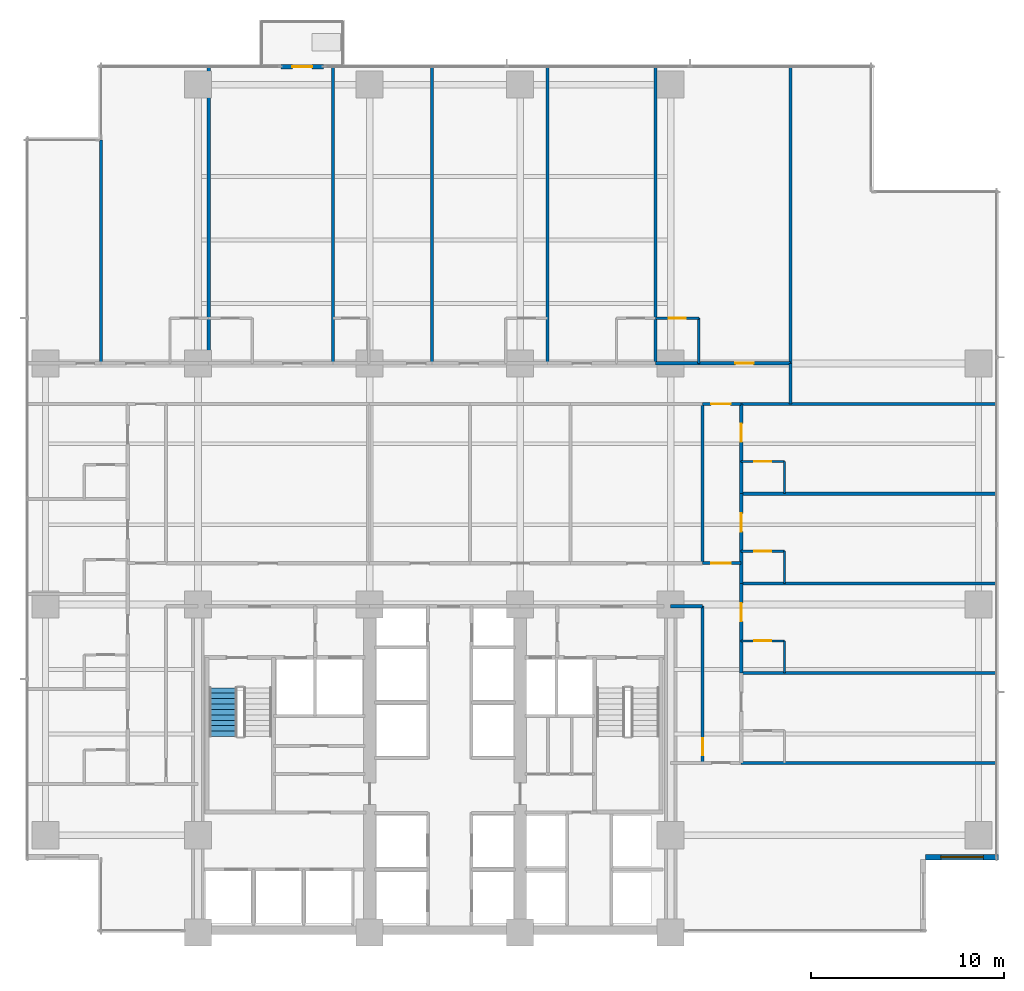
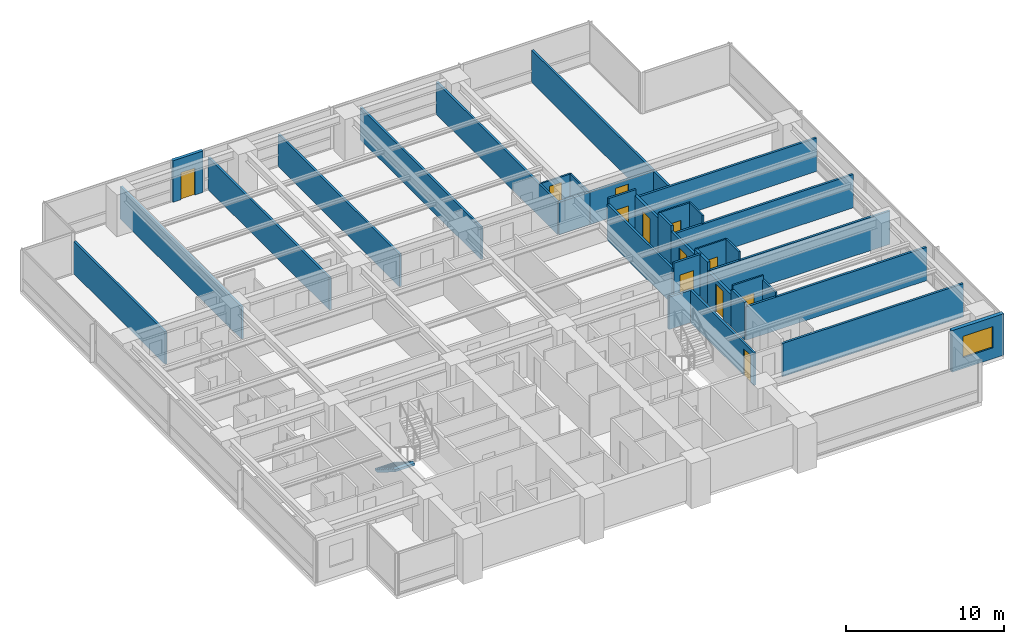
# One storey, part 11 of 18: 36 walls, 12 doors, 1 stair flight, 1 window, 13 openings, 1 element without a shape of its own.
"""IFC4 building model written with IfcOpenShell, lengths in metres."""

from ifc_helpers import new_model, si_unit, direction, frame, frame_2d, origin, place, context, subcontext, project, spatial, polyline, rectangle, outline, extrude, material, layer, layer_set, type_object, element, fill, aggregate, save


model = new_model("IFC4")

# Units and contexts
model_context = context("Model", 3, precision=1e-05, world=origin(), true_north=direction((0.0, 1.0)))
body_context = subcontext(model_context, "Body", "Model", "MODEL_VIEW")
ifc_project = project(units=[si_unit("LENGTHUNIT", "METRE"), si_unit("AREAUNIT", "SQUARE_METRE"), si_unit("VOLUMEUNIT", "CUBIC_METRE"), si_unit("PLANEANGLEUNIT", "RADIAN"), si_unit("MASSUNIT", "GRAM", prefix="KILO")], contexts=[model_context])

# Site, building, storey
site_placement = place(None, origin())
site = spatial("IfcSite", under=ifc_project, at=site_placement, CompositionType="ELEMENT")
building_placement = place(site_placement, origin())
building = spatial("IfcBuilding", under=site, at=building_placement, Name="Qalmaran Belvedere Hotel", CompositionType="ELEMENT")
storey_placement = place(building_placement, frame((0.0, 0.0, 54.39990234375)))
storey = spatial("IfcBuildingStorey", under=building, at=storey_placement, Name="L13", CompositionType="ELEMENT", Elevation=54.39990234375)

# Wall, opening, door
ifc_material_1 = material(Name="Anodised Bronze Cladding")
ifc_layer_1 = layer(ifc_material_1, 0.22509765625, Name="Anodised Bronze Cladding")
ifc_layer_set_1 = layer_set([ifc_layer_1], Name="Anodised Bronze Cladding")
wall_type_1 = type_object("IfcWallType", Name="WL-BAL-PORT-225", PredefinedType="SOLIDWALL", material=ifc_layer_set_1)
wall_1_placement = place(storey_placement, frame((24.60009765625, 48.3798828125, 0.0), z_axis=(0.0, 0.0, 1.0), x_axis=(1.0, 0.0, 0.0)))
wall_1 = element("IfcWall", 1, at=wall_1_placement, inside=storey, type_object=wall_type_1, Name="L13 Tree Balcony Door Portal", PredefinedType="SOLIDWALL", context=body_context, shape_type="SweptSolid", body=[
    extrude(rectangle(XDim=2.199951171875, YDim=0.22509765625, at=frame_2d((1.10009765625, 0.0))), origin(), (0.0, 0.0, 1.0), 3.22021484375),
])
opening_1_placement = place(wall_1_placement, frame((0.590087890625, 0.0, 0.0)))
opening_1 = element("IfcOpeningElement", 2, at=opening_1_placement, cuts=wall_1, Name="Opening BL-102", PredefinedType="OPENING", context=body_context, shape_type="SweptSolid", body=[
    extrude(rectangle(XDim=1.02001953125, YDim=2.10009765625, at=frame_2d((0.510009765625, 1.050048828125))), frame((0.0, 0.12255859375, 0.0), z_axis=(0.0, -1.0, 0.0), x_axis=(1.0, 0.0, 0.0)), (0.0, 0.0, 1.0), 0.2451171875),
])
ifc_material_2 = material(Name="Anodised Bronze Aluminium", Category="aluminium")
door_type_1 = type_object("IfcDoorType", Name="DR-BAL-1020X2100", OperationType="NOTDEFINED", PredefinedType="DOOR", material=ifc_material_2)
door_1_placement = place(opening_1_placement, origin())
door_1 = element("IfcDoor", 3, at=door_1_placement, inside=storey, type_object=door_type_1, Name="L13 Planted Tree Balcony Door", OperationType="SINGLE_SWING_RIGHT", OverallHeight=2.10009765625, OverallWidth=1.02001953125, PredefinedType="DOOR", context=body_context, shape_type="SweptSolid", body=[
    extrude(rectangle(XDim=1.02001953125, YDim=2.10009765625, at=frame_2d((0.510009765625, 1.050048828125))), frame((0.0, 0.02490234375, 0.0), z_axis=(0.0, -1.0, 0.0), x_axis=(1.0, 0.0, 0.0)), (0.0, 0.0, 1.0), 0.050048828125),
])
fill(opening_1, door_1)

# Wall, opening, window
ifc_layer_2 = layer(ifc_material_1, 0.280029296875, Name="Anodised Bronze Cladding")
ifc_layer_set_2 = layer_set([ifc_layer_2], Name="Anodised Bronze Cladding")
wall_type_2 = type_object("IfcWallType", Name="WL-EXT-BRNZ-280", PredefinedType="SOLIDWALL", material=ifc_layer_set_2)
wall_2_placement = place(storey_placement, frame((58.0, 7.419921875, 0.0), z_axis=(0.0, 0.0, 1.0), x_axis=(1.0, 0.0, 0.0)))
wall_2 = element("IfcWall", 4, at=wall_2_placement, inside=storey, type_object=wall_type_2, Name="L13 Corner Notch Wall 2", PredefinedType="SOLIDWALL", context=body_context, shape_type="SweptSolid", body=[
    extrude(rectangle(XDim=3.800048828125, YDim=0.280029296875, at=frame_2d((1.89990234375, 0.0))), origin(), (0.0, 0.0, 1.0), 3.22021484375),
])
opening_2_placement = place(wall_2_placement, frame((0.800048828125, 0.0, 0.85009765625)))
opening_2 = element("IfcOpeningElement", 5, at=opening_2_placement, cuts=wall_2, Name="Opening W-N22", PredefinedType="OPENING", context=body_context, shape_type="SweptSolid", body=[
    extrude(rectangle(XDim=2.199951171875, YDim=1.64990234375, at=frame_2d((1.10009765625, 0.824951171875))), frame((0.0, 0.14990234375, 0.0), z_axis=(0.0, -1.0, 0.0), x_axis=(1.0, 0.0, 0.0)), (0.0, 0.0, 1.0), 0.300048828125),
])
ifc_material_3 = material(Name="Solar-Control Double Glazing", Category="glass")
window_type = type_object("IfcWindowType", Name="WN-NTC-2200X1650", PartitioningType="SINGLE_PANEL", PredefinedType="WINDOW", material=ifc_material_3)
window_placement = place(opening_2_placement, origin())
window = element("IfcWindow", 6, at=window_placement, inside=storey, type_object=window_type, Name="L13 Corner Notch Window 2", OverallHeight=1.64990234375, OverallWidth=2.199951171875, PartitioningType="SINGLE_PANEL", PredefinedType="WINDOW", context=body_context, shape_type="SweptSolid", body=[
    extrude(rectangle(XDim=2.199951171875, YDim=1.64990234375, at=frame_2d((1.10009765625, 0.824951171875))), frame((0.0, 0.030029296875, 0.0), z_axis=(0.0, -1.0, 0.0), x_axis=(1.0, 0.0, 0.0)), (0.0, 0.0, 1.0), 0.06005859375),
])
fill(opening_2, window)

# Wall, opening, door
ifc_material_4 = material(Name="Moisture-Resistant Gypsum")
ifc_layer_3 = layer(ifc_material_4, 0.1201171875, Name="Moisture-Resistant Gypsum")
ifc_layer_set_3 = layer_set([ifc_layer_3], Name="Moisture-Resistant Gypsum")
wall_type_3 = type_object("IfcWallType", Name="WL-INT-120-BATH", PredefinedType="PARTITIONING", material=ifc_layer_set_3)
wall_3_placement = place(storey_placement, frame((44.005126953125, 35.35009765625, 0.0), z_axis=(0.0, 0.0, 1.0), x_axis=(1.0, 0.0, 0.0)))
wall_3 = element("IfcWall", 7, at=wall_3_placement, inside=storey, type_object=wall_type_3, Name="L13 Partition WL-L13-NBN05", PredefinedType="PARTITIONING", context=body_context, shape_type="SweptSolid", body=[
    extrude(rectangle(XDim=2.25, YDim=0.1201171875, at=frame_2d((1.125, 0.0))), origin(), (0.0, 0.0, 1.0), 2.510009765625),
])
opening_3_placement = place(wall_3_placement, frame((1.56494140625, 0.0, 0.0), z_axis=(0.0, 0.0, 1.0), x_axis=(-1.0, 0.0, 0.0)))
opening_3 = element("IfcOpeningElement", 8, at=opening_3_placement, cuts=wall_3, Name="Opening D-BATH", PredefinedType="OPENING", context=body_context, shape_type="SweptSolid", body=[
    extrude(rectangle(XDim=0.8798828125, YDim=2.080078125, at=frame_2d((0.43994140625, 1.0400390625))), frame((0.0, 0.070068359375, 0.0), z_axis=(0.0, -1.0, 0.0), x_axis=(1.0, 0.0, 0.0)), (0.0, 0.0, 1.0), 0.14013671875),
])
ifc_material_5 = material(Name="Engineered Oak Veneer")
door_type_2 = type_object("IfcDoorType", Name="DR-INT-BATH-880X2080", OperationType="NOTDEFINED", PredefinedType="DOOR", material=ifc_material_5)
door_2_placement = place(opening_3_placement, origin())
door_2 = element("IfcDoor", 9, at=door_2_placement, inside=storey, type_object=door_type_2, Name="L13 Ensuite Bathroom Door N06", OperationType="SINGLE_SWING_LEFT", OverallHeight=2.080078125, OverallWidth=0.8798828125, PredefinedType="DOOR", context=body_context, shape_type="SweptSolid", body=[
    extrude(rectangle(XDim=0.8798828125, YDim=2.080078125, at=frame_2d((0.43994140625, 1.0400390625))), frame((0.0, 0.02490234375, 0.0), z_axis=(0.0, -1.0, 0.0), x_axis=(1.0, 0.0, 0.0)), (0.0, 0.0, 1.0), 0.050048828125),
])
fill(opening_3, door_2)

# Wall
wall_4_placement = place(storey_placement, frame((46.255126953125, 33.0, 0.0), z_axis=(0.0, 0.0, 1.0), x_axis=(0.0, 1.0, 0.0)))
element("IfcWall", 10, at=wall_4_placement, inside=storey, type_object=wall_type_3, Name="L13 Partition WL-L13-NBS05", PredefinedType="PARTITIONING", context=body_context, shape_type="SweptSolid", body=[
    extrude(rectangle(XDim=2.35009765625, YDim=0.1201171875, at=frame_2d((1.175048828125, 0.0))), origin(), (0.0, 0.0, 1.0), 2.510009765625),
])

# Wall, opening, door
wall_5_placement = place(storey_placement, frame((48.449951171875, 18.6201171875, 0.0), z_axis=(0.0, 0.0, 1.0), x_axis=(1.0, 0.0, 0.0)))
wall_5 = element("IfcWall", 11, at=wall_5_placement, inside=storey, type_object=wall_type_3, Name="L13 Partition WL-L13-EBN01", PredefinedType="PARTITIONING", context=body_context, shape_type="SweptSolid", body=[
    extrude(rectangle(XDim=2.25, YDim=0.1201171875, at=frame_2d((1.125, 0.0))), origin(), (0.0, 0.0, 1.0), 3.22021484375),
])
opening_4_placement = place(wall_5_placement, frame((1.56494140625, 0.0, 0.0), z_axis=(0.0, 0.0, 1.0), x_axis=(-1.0, 0.0, 0.0)))
opening_4 = element("IfcOpeningElement", 12, at=opening_4_placement, cuts=wall_5, Name="Opening D-BATH", PredefinedType="OPENING", context=body_context, shape_type="SweptSolid", body=[
    extrude(rectangle(XDim=0.8798828125, YDim=2.080078125, at=frame_2d((0.43994140625, 1.0400390625))), frame((0.0, 0.070068359375, 0.0), z_axis=(0.0, -1.0, 0.0), x_axis=(1.0, 0.0, 0.0)), (0.0, 0.0, 1.0), 0.14013671875),
])
door_3_placement = place(opening_4_placement, origin())
door_3 = element("IfcDoor", 13, at=door_3_placement, inside=storey, type_object=door_type_2, Name="L13 E Ensuite Door 02", OperationType="SINGLE_SWING_LEFT", OverallHeight=2.080078125, OverallWidth=0.8798828125, PredefinedType="DOOR", context=body_context, shape_type="SweptSolid", body=[
    extrude(rectangle(XDim=0.8798828125, YDim=2.080078125, at=frame_2d((0.43994140625, 1.0400390625))), frame((0.0, 0.02490234375, 0.0), z_axis=(0.0, -1.0, 0.0), x_axis=(1.0, 0.0, 0.0)), (0.0, 0.0, 1.0), 0.050048828125),
])
fill(opening_4, door_3)

# Wall
wall_6_placement = place(storey_placement, frame((50.699951171875, 16.949951171875, 0.0), z_axis=(0.0, 0.0, 1.0), x_axis=(0.0, 1.0, 0.0)))
element("IfcWall", 14, at=wall_6_placement, inside=storey, type_object=wall_type_3, Name="L13 Partition WL-L13-EBS01", PredefinedType="PARTITIONING", context=body_context, shape_type="SweptSolid", body=[
    extrude(rectangle(XDim=1.670166015625, YDim=0.1201171875, at=frame_2d((0.8349609375, 0.0))), origin(), (0.0, 0.0, 1.0), 2.902099609375),
])

# Wall, opening, door
wall_7_placement = place(storey_placement, frame((48.449951171875, 23.27001953125, 0.0), z_axis=(0.0, 0.0, 1.0), x_axis=(1.0, 0.0, 0.0)))
wall_7 = element("IfcWall", 15, at=wall_7_placement, inside=storey, type_object=wall_type_3, Name="L13 Partition WL-L13-EBN02", PredefinedType="PARTITIONING", context=body_context, shape_type="SweptSolid", body=[
    extrude(rectangle(XDim=2.25, YDim=0.1201171875, at=frame_2d((1.125, 0.0))), origin(), (0.0, 0.0, 1.0), 3.22021484375),
])
opening_5_placement = place(wall_7_placement, frame((1.56494140625, 0.0, 0.0), z_axis=(0.0, 0.0, 1.0), x_axis=(-1.0, 0.0, 0.0)))
opening_5 = element("IfcOpeningElement", 16, at=opening_5_placement, cuts=wall_7, Name="Opening D-BATH", PredefinedType="OPENING", context=body_context, shape_type="SweptSolid", body=[
    extrude(rectangle(XDim=0.8798828125, YDim=2.080078125, at=frame_2d((0.43994140625, 1.0400390625))), frame((0.0, 0.070068359375, 0.0), z_axis=(0.0, -1.0, 0.0), x_axis=(1.0, 0.0, 0.0)), (0.0, 0.0, 1.0), 0.14013671875),
])
door_4_placement = place(opening_5_placement, origin())
door_4 = element("IfcDoor", 17, at=door_4_placement, inside=storey, type_object=door_type_2, Name="L13 E Ensuite Door 03", OperationType="SINGLE_SWING_LEFT", OverallHeight=2.080078125, OverallWidth=0.8798828125, PredefinedType="DOOR", context=body_context, shape_type="SweptSolid", body=[
    extrude(rectangle(XDim=0.8798828125, YDim=2.080078125, at=frame_2d((0.43994140625, 1.0400390625))), frame((0.0, 0.02490234375, 0.0), z_axis=(0.0, -1.0, 0.0), x_axis=(1.0, 0.0, 0.0)), (0.0, 0.0, 1.0), 0.050048828125),
])
fill(opening_5, door_4)

# Wall
wall_8_placement = place(storey_placement, frame((50.699951171875, 21.60009765625, 0.0), z_axis=(0.0, 0.0, 1.0), x_axis=(0.0, 1.0, 0.0)))
element("IfcWall", 18, at=wall_8_placement, inside=storey, type_object=wall_type_3, Name="L13 Partition WL-L13-EBS02", PredefinedType="PARTITIONING", context=body_context, shape_type="SweptSolid", body=[
    extrude(rectangle(XDim=1.669921875, YDim=0.1201171875, at=frame_2d((0.8349609375, 0.0))), origin(), (0.0, 0.0, 1.0), 3.22021484375),
])

# Wall, opening, door
wall_9_placement = place(storey_placement, frame((48.449951171875, 27.919921875, 0.0), z_axis=(0.0, 0.0, 1.0), x_axis=(1.0, 0.0, 0.0)))
wall_9 = element("IfcWall", 19, at=wall_9_placement, inside=storey, type_object=wall_type_3, Name="L13 Partition WL-L13-EBN03", PredefinedType="PARTITIONING", context=body_context, shape_type="SweptSolid", body=[
    extrude(rectangle(XDim=2.25, YDim=0.1201171875, at=frame_2d((1.125, 0.0))), origin(), (0.0, 0.0, 1.0), 3.22021484375),
])
opening_6_placement = place(wall_9_placement, frame((1.56494140625, 0.0, 0.0), z_axis=(0.0, 0.0, 1.0), x_axis=(-1.0, 0.0, 0.0)))
opening_6 = element("IfcOpeningElement", 20, at=opening_6_placement, cuts=wall_9, Name="Opening D-BATH", PredefinedType="OPENING", context=body_context, shape_type="SweptSolid", body=[
    extrude(rectangle(XDim=0.8798828125, YDim=2.080078125, at=frame_2d((0.43994140625, 1.0400390625))), frame((0.0, 0.070068359375, 0.0), z_axis=(0.0, -1.0, 0.0), x_axis=(1.0, 0.0, 0.0)), (0.0, 0.0, 1.0), 0.14013671875),
])
door_5_placement = place(opening_6_placement, origin())
door_5 = element("IfcDoor", 21, at=door_5_placement, inside=storey, type_object=door_type_2, Name="L13 E Ensuite Door 04", OperationType="SINGLE_SWING_LEFT", OverallHeight=2.080078125, OverallWidth=0.8798828125, PredefinedType="DOOR", context=body_context, shape_type="SweptSolid", body=[
    extrude(rectangle(XDim=0.8798828125, YDim=2.080078125, at=frame_2d((0.43994140625, 1.0400390625))), frame((0.0, 0.02490234375, 0.0), z_axis=(0.0, -1.0, 0.0), x_axis=(1.0, 0.0, 0.0)), (0.0, 0.0, 1.0), 0.050048828125),
])
fill(opening_6, door_5)

# Wall
wall_10_placement = place(storey_placement, frame((50.699951171875, 26.25, 0.0), z_axis=(0.0, 0.0, 1.0), x_axis=(0.0, 1.0, 0.0)))
element("IfcWall", 22, at=wall_10_placement, inside=storey, type_object=wall_type_3, Name="L13 Partition WL-L13-EBS03", PredefinedType="PARTITIONING", context=body_context, shape_type="SweptSolid", body=[
    extrude(rectangle(XDim=1.669921875, YDim=0.1201171875, at=frame_2d((0.8349609375, 0.0))), origin(), (0.0, 0.0, 1.0), 3.22021484375),
])

# Wall, opening, door
ifc_material_6 = material(Name="Gypsum Stud Partition")
ifc_layer_4 = layer(ifc_material_6, 0.14990234375, Name="Gypsum Stud Partition")
ifc_layer_set_4 = layer_set([ifc_layer_4], Name="Gypsum Stud Partition")
wall_type_4 = type_object("IfcWallType", Name="WL-INT-150-EI60", PredefinedType="PARTITIONING", material=ifc_layer_set_4)
wall_11_placement = place(storey_placement, frame((46.449951171875, 22.64990234375, 0.0), z_axis=(0.0, 0.0, 1.0), x_axis=(1.0, 0.0, 0.0)))
wall_11 = element("IfcWall", 23, at=wall_11_placement, inside=storey, type_object=wall_type_4, Name="L13 Partition WL-L13-XCE1", PredefinedType="PARTITIONING", context=body_context, shape_type="SweptSolid", body=[
    extrude(rectangle(XDim=2.0, YDim=0.14990234375, at=frame_2d((1.0, 0.0))), origin(), (0.0, 0.0, 1.0), 3.22021484375),
])
opening_7_placement = place(wall_11_placement, frame((0.449951171875, 0.0, 0.0)))
opening_7 = element("IfcOpeningElement", 24, at=opening_7_placement, cuts=wall_11, Name="Opening FD90B", PredefinedType="OPENING", context=body_context, shape_type="SweptSolid", body=[
    extrude(rectangle(XDim=1.0, YDim=2.14990234375, at=frame_2d((0.5, 1.074951171875))), frame((0.0, 0.0849609375, 0.0), z_axis=(0.0, -1.0, 0.0), x_axis=(1.0, 0.0, 0.0)), (0.0, 0.0, 1.0), 0.169921875),
])
ifc_material_7 = material(Name="Steel S355JR", Category="steel")
door_type_3 = type_object("IfcDoorType", Name="DR-FD90B-1000X2150", OperationType="NOTDEFINED", PredefinedType="DOOR", material=ifc_material_7)
door_6_placement = place(opening_7_placement, origin())
door_6 = element("IfcDoor", 25, at=door_6_placement, inside=storey, type_object=door_type_3, Name="L13 East Corridor Smoke Door S", OperationType="SINGLE_SWING_LEFT", OverallHeight=2.14990234375, OverallWidth=1.0, PredefinedType="DOOR", context=body_context, shape_type="SweptSolid", body=[
    extrude(rectangle(XDim=1.0, YDim=2.14990234375, at=frame_2d((0.5, 1.074951171875))), frame((0.0, 0.02490234375, 0.0), z_axis=(0.0, -1.0, 0.0), x_axis=(1.0, 0.0, 0.0)), (0.0, 0.0, 1.0), 0.050048828125),
])
fill(opening_7, door_6)

wall_12_placement = place(storey_placement, frame((46.449951171875, 30.89990234375, 0.0), z_axis=(0.0, 0.0, 1.0), x_axis=(1.0, 0.0, 0.0)))
wall_12 = element("IfcWall", 26, at=wall_12_placement, inside=storey, type_object=wall_type_4, Name="L13 Partition WL-L13-XCE2", PredefinedType="PARTITIONING", context=body_context, shape_type="SweptSolid", body=[
    extrude(rectangle(XDim=2.0, YDim=0.14990234375, at=frame_2d((1.0, 0.0))), origin(), (0.0, 0.0, 1.0), 3.22021484375),
])
opening_8_placement = place(wall_12_placement, frame((0.449951171875, 0.0, 0.0)))
opening_8 = element("IfcOpeningElement", 27, at=opening_8_placement, cuts=wall_12, Name="Opening FD90B", PredefinedType="OPENING", context=body_context, shape_type="SweptSolid", body=[
    extrude(rectangle(XDim=1.0, YDim=2.14990234375, at=frame_2d((0.5, 1.074951171875))), frame((0.0, 0.0849609375, 0.0), z_axis=(0.0, -1.0, 0.0), x_axis=(1.0, 0.0, 0.0)), (0.0, 0.0, 1.0), 0.169921875),
])
door_7_placement = place(opening_8_placement, origin())
door_7 = element("IfcDoor", 28, at=door_7_placement, inside=storey, type_object=door_type_3, Name="L13 East Corridor Smoke Door N", OperationType="SINGLE_SWING_RIGHT", OverallHeight=2.14990234375, OverallWidth=1.0, PredefinedType="DOOR", context=body_context, shape_type="SweptSolid", body=[
    extrude(rectangle(XDim=1.0, YDim=2.14990234375, at=frame_2d((0.5, 1.074951171875))), frame((0.0, 0.02490234375, 0.0), z_axis=(0.0, -1.0, 0.0), x_axis=(1.0, 0.0, 0.0)), (0.0, 0.0, 1.0), 0.050048828125),
])
fill(opening_8, door_7)

ifc_layer_5 = layer(ifc_material_6, 0.159912109375, Name="Gypsum Stud Partition")
ifc_layer_set_5 = layer_set([ifc_layer_5], Name="Gypsum Stud Partition")
wall_type_5 = type_object("IfcWallType", Name="WL-INT-160-EI60", PredefinedType="PARTITIONING", material=ifc_layer_set_5)
wall_13_placement = place(storey_placement, frame((46.449951171875, 12.300048828125, 0.0), z_axis=(0.0, 0.0, 1.0), x_axis=(0.0, 1.0, 0.0)))
wall_13 = element("IfcWall", 29, at=wall_13_placement, inside=storey, type_object=wall_type_5, Name="L13 Partition WL-L13-ECL", PredefinedType="PARTITIONING", context=body_context, shape_type="SweptSolid", body=[
    extrude(rectangle(XDim=8.119873046875, YDim=0.159912109375, at=frame_2d((4.06005859375, 0.0))), origin(), (0.0, 0.0, 1.0), 2.510009765625),
])
opening_9_placement = place(wall_13_placement, frame((0.39990234375, 0.0, 0.0)))
opening_9 = element("IfcOpeningElement", 30, at=opening_9_placement, cuts=wall_13, Name="Opening FD60B", PredefinedType="OPENING", context=body_context, shape_type="SweptSolid", body=[
    extrude(rectangle(XDim=0.8798828125, YDim=2.080078125, at=frame_2d((0.43994140625, 1.0400390625))), frame((0.0, 0.08984375, 0.0), z_axis=(0.0, -1.0, 0.0), x_axis=(1.0, 0.0, 0.0)), (0.0, 0.0, 1.0), 0.179931640625),
])
door_type_4 = type_object("IfcDoorType", Name="DR-FD60B-880X2080", OperationType="NOTDEFINED", PredefinedType="DOOR", material=ifc_material_7)
door_8_placement = place(opening_9_placement, origin())
door_8 = element("IfcDoor", 31, at=door_8_placement, inside=storey, type_object=door_type_4, Name="L13 East Closet Door", OperationType="SINGLE_SWING_RIGHT", OverallHeight=2.080078125, OverallWidth=0.8798828125, PredefinedType="DOOR", context=body_context, shape_type="SweptSolid", body=[
    extrude(rectangle(XDim=0.8798828125, YDim=2.080078125, at=frame_2d((0.43994140625, 1.0400390625))), frame((0.0, 0.02490234375, 0.0), z_axis=(0.0, -1.0, 0.0), x_axis=(1.0, 0.0, 0.0)), (0.0, 0.0, 1.0), 0.050048828125),
])
fill(opening_9, door_8)

# Walls
wall_14_placement = place(storey_placement, frame((44.800048828125, 20.419921875, 0.0), z_axis=(0.0, 0.0, 1.0), x_axis=(1.0, 0.0, 0.0)))
element("IfcWall", 32, at=wall_14_placement, inside=storey, type_object=wall_type_5, Name="L13 Partition WL-L13-ECLN", PredefinedType="PARTITIONING", context=body_context, shape_type="SweptSolid", body=[
    extrude(rectangle(XDim=1.64990234375, YDim=0.159912109375, at=frame_2d((0.824951171875, 0.0))), origin(), (0.0, 0.0, 1.0), 2.510009765625),
])
wall_15_placement = place(storey_placement, frame((51.0, 30.89990234375, 0.0), z_axis=(0.0, 0.0, 1.0), x_axis=(0.0, 1.0, 0.0)))
element("IfcWall", 33, at=wall_15_placement, inside=storey, type_object=wall_type_5, Name="L13 Partition WL-L13-NCGE", PredefinedType="PARTITIONING", context=body_context, shape_type="SweptSolid", body=[
    extrude(rectangle(XDim=2.10009765625, YDim=0.159912109375, at=frame_2d((1.050048828125, 0.0))), origin(), (0.0, 0.0, 1.0), 2.510009765625),
])
wall_16_placement = place(storey_placement, frame((46.449951171875, 22.64990234375, 0.0), z_axis=(0.0, 0.0, 1.0), x_axis=(0.0, 1.0, 0.0)))
element("IfcWall", 34, at=wall_16_placement, inside=storey, type_object=wall_type_5, Name="L13 Partition WL-L13-MIDVR4", PredefinedType="PARTITIONING", context=body_context, shape_type="SweptSolid", body=[
    extrude(rectangle(XDim=8.25, YDim=0.159912109375, at=frame_2d((4.125, 0.0))), origin(), (0.0, 0.0, 1.0), 2.7880859375),
])
wall_17_placement = place(storey_placement, frame((15.27001953125, 33.0, 0.0), z_axis=(0.0, 0.0, 1.0), x_axis=(0.0, 1.0, 0.0)))
element("IfcWall", 35, at=wall_17_placement, inside=storey, type_object=wall_type_5, Name="L13 Partition WL-L13-NUL", PredefinedType="PARTITIONING", context=body_context, shape_type="SweptSolid", body=[
    extrude(rectangle(XDim=11.580078125, YDim=0.159912109375, at=frame_2d((5.7900390625, 0.0))), origin(), (0.0, 0.0, 1.0), 2.510009765625),
])
for number, where, z_axis, x_axis, name in (
    (36, (20.857421875, 33.0, 0.0), (0.0, 0.0, 1.0), (0.0, 1.0, 0.0), "L13 Partition WL-L13-NUR00"),
    (37, (27.300048828125, 33.0, 0.0), (0.0, 0.0, 1.0), (0.0, 1.0, 0.0), "L13 Partition WL-L13-NUR01"),
    (38, (32.431396484375, 33.0, 0.0), (0.0, 0.0, 1.0), (0.0, 1.0, 0.0), "L13 Partition WL-L13-NUR02"),
    (39, (38.417724609375, 33.0, 0.0), (0.0, 0.0, 1.0), (0.0, 1.0, 0.0), "L13 Partition WL-L13-NUR03"),
    (40, (44.005126953125, 33.0, 0.0), (0.0, 0.0, 1.0), (0.0, 1.0, 0.0), "L13 Partition WL-L13-NUR04"),
    (41, (51.0, 33.0, 0.0), (0.0, 0.0, 1.0), (0.0, 1.0, 0.0), "L13 Partition WL-L13-NUR05"),
):
    element("IfcWall", number, at=place(storey_placement, frame(where, z_axis=z_axis, x_axis=x_axis)), inside=storey, type_object=wall_type_5, Name=name, PredefinedType="PARTITIONING", context=body_context, shape_type="SweptSolid", body=[
        extrude(rectangle(XDim=15.3798828125, YDim=0.159912109375, at=frame_2d((7.68994140625, 0.0))), origin(), (0.0, 0.0, 1.0), 2.510009765625),
    ])
for number, where, z_axis, x_axis, name in (
    (42, (48.449951171875, 12.300048828125, 0.0), (0.0, 0.0, 1.0), (1.0, 0.0, 0.0), "L13 Partition WL-L13-EBOT"),
    (43, (48.449951171875, 16.949951171875, 0.0), (0.0, 0.0, 1.0), (1.0, 0.0, 0.0), "L13 Partition WL-L13-EU00"),
    (44, (48.449951171875, 21.60009765625, 0.0), (0.0, 0.0, 1.0), (1.0, 0.0, 0.0), "L13 Partition WL-L13-EU01"),
    (45, (48.449951171875, 26.25, 0.0), (0.0, 0.0, 1.0), (1.0, 0.0, 0.0), "L13 Partition WL-L13-EU02"),
    (46, (48.449951171875, 30.89990234375, 0.0), (0.0, 0.0, 1.0), (1.0, 0.0, 0.0), "L13 Partition WL-L13-EU03"),
):
    element("IfcWall", number, at=place(storey_placement, frame(where, z_axis=z_axis, x_axis=x_axis)), inside=storey, type_object=wall_type_5, Name=name, PredefinedType="PARTITIONING", context=body_context, shape_type="SweptSolid", body=[
        extrude(rectangle(XDim=13.22998046875, YDim=0.159912109375, at=frame_2d((6.614990234375, 0.0))), origin(), (0.0, 0.0, 1.0), 2.5830078125),
    ])
ifc_layer_6 = layer(ifc_material_6, 0.179931640625, Name="Gypsum Stud Partition")
ifc_layer_set_6 = layer_set([ifc_layer_6], Name="Gypsum Stud Partition")
wall_type_6 = type_object("IfcWallType", Name="WL-INT-180-EI60", PredefinedType="PARTITIONING", material=ifc_layer_set_6)
wall_18_placement = place(storey_placement, frame((44.005126953125, 33.0, 0.0), z_axis=(0.0, 0.0, 1.0), x_axis=(1.0, 0.0, 0.0)))
element("IfcWall", 47, at=wall_18_placement, inside=storey, type_object=wall_type_6, Name="L13 Partition WL-L13-NBC05", PredefinedType="PARTITIONING", context=body_context, shape_type="SweptSolid", body=[
    extrude(rectangle(XDim=2.25, YDim=0.179931640625, at=frame_2d((1.125, 0.0))), origin(), (0.0, 0.0, 1.0), 2.510009765625),
])

# Wall, opening, door
wall_19_placement = place(storey_placement, frame((46.255126953125, 33.0, 0.0), z_axis=(0.0, 0.0, 1.0), x_axis=(1.0, 0.0, 0.0)))
wall_19 = element("IfcWall", 48, at=wall_19_placement, inside=storey, type_object=wall_type_6, Name="L13 Partition WL-L13-NEC05", PredefinedType="PARTITIONING", context=body_context, shape_type="SweptSolid", body=[
    extrude(rectangle(XDim=4.744873046875, YDim=0.179931640625, at=frame_2d((2.37255859375, 0.0))), origin(), (0.0, 0.0, 1.0), 2.510009765625),
])
opening_10_placement = place(wall_19_placement, frame((1.8974609375, 0.0, 0.0)))
opening_10 = element("IfcOpeningElement", 49, at=opening_10_placement, cuts=wall_19, Name="Opening FD60", PredefinedType="OPENING", context=body_context, shape_type="SweptSolid", body=[
    extrude(rectangle(XDim=0.949951171875, YDim=2.14990234375, at=frame_2d((0.47509765625, 1.074951171875))), frame((0.0, 0.10009765625, 0.0), z_axis=(0.0, -1.0, 0.0), x_axis=(1.0, 0.0, 0.0)), (0.0, 0.0, 1.0), 0.199951171875),
])
door_type_5 = type_object("IfcDoorType", Name="DR-FD60-950X2150", OperationType="NOTDEFINED", PredefinedType="DOOR", material=ifc_material_5)
door_9_placement = place(opening_10_placement, origin())
door_9 = element("IfcDoor", 50, at=door_9_placement, inside=storey, type_object=door_type_5, Name="L13 Guest Entrance Door N06", OperationType="SINGLE_SWING_RIGHT", OverallHeight=2.14990234375, OverallWidth=0.949951171875, PredefinedType="DOOR", context=body_context, shape_type="SweptSolid", body=[
    extrude(rectangle(XDim=0.949951171875, YDim=2.14990234375, at=frame_2d((0.47509765625, 1.074951171875))), frame((0.0, 0.02490234375, 0.0), z_axis=(0.0, -1.0, 0.0), x_axis=(1.0, 0.0, 0.0)), (0.0, 0.0, 1.0), 0.050048828125),
])
fill(opening_10, door_9)

# Wall
wall_20_placement = place(storey_placement, frame((48.449951171875, 16.949951171875, 0.0), z_axis=(0.0, 0.0, 1.0), x_axis=(0.0, 1.0, 0.0)))
element("IfcWall", 51, at=wall_20_placement, inside=storey, type_object=wall_type_6, Name="L13 Partition WL-L13-EBC01", PredefinedType="PARTITIONING", context=body_context, shape_type="SweptSolid", body=[
    extrude(rectangle(XDim=1.670166015625, YDim=0.179931640625, at=frame_2d((0.8349609375, 0.0))), origin(), (0.0, 0.0, 1.0), 2.902099609375),
])

# Wall, opening, door
wall_21_placement = place(storey_placement, frame((48.449951171875, 18.6201171875, 0.0), z_axis=(0.0, 0.0, 1.0), x_axis=(0.0, 1.0, 0.0)))
wall_21 = element("IfcWall", 52, at=wall_21_placement, inside=storey, type_object=wall_type_6, Name="L13 Partition WL-L13-EEC01", PredefinedType="PARTITIONING", context=body_context, shape_type="SweptSolid", body=[
    extrude(rectangle(XDim=2.97998046875, YDim=0.179931640625, at=frame_2d((1.489990234375, 0.0))), origin(), (0.0, 0.0, 1.0), 2.510009765625),
])
opening_11_placement = place(wall_21_placement, frame((1.96484375, 0.0, 0.0), z_axis=(0.0, 0.0, 1.0), x_axis=(-1.0, 0.0, 0.0)))
opening_11 = element("IfcOpeningElement", 53, at=opening_11_placement, cuts=wall_21, Name="Opening FD60", PredefinedType="OPENING", context=body_context, shape_type="SweptSolid", body=[
    extrude(rectangle(XDim=0.949951171875, YDim=2.14990234375, at=frame_2d((0.47509765625, 1.074951171875))), frame((0.0, 0.10009765625, 0.0), z_axis=(0.0, -1.0, 0.0), x_axis=(1.0, 0.0, 0.0)), (0.0, 0.0, 1.0), 0.199951171875),
])
door_10_placement = place(opening_11_placement, origin())
door_10 = element("IfcDoor", 54, at=door_10_placement, inside=storey, type_object=door_type_5, Name="L13 E Wing Door 02", OperationType="SINGLE_SWING_RIGHT", OverallHeight=2.14990234375, OverallWidth=0.949951171875, PredefinedType="DOOR", context=body_context, shape_type="SweptSolid", body=[
    extrude(rectangle(XDim=0.949951171875, YDim=2.14990234375, at=frame_2d((0.47509765625, 1.074951171875))), frame((0.0, 0.02490234375, 0.0), z_axis=(0.0, -1.0, 0.0), x_axis=(1.0, 0.0, 0.0)), (0.0, 0.0, 1.0), 0.050048828125),
])
fill(opening_11, door_10)

# Wall
wall_22_placement = place(storey_placement, frame((48.449951171875, 21.60009765625, 0.0), z_axis=(0.0, 0.0, 1.0), x_axis=(0.0, 1.0, 0.0)))
element("IfcWall", 55, at=wall_22_placement, inside=storey, type_object=wall_type_6, Name="L13 Partition WL-L13-EBC02", PredefinedType="PARTITIONING", context=body_context, shape_type="SweptSolid", body=[
    extrude(rectangle(XDim=1.669921875, YDim=0.179931640625, at=frame_2d((0.8349609375, 0.0))), origin(), (0.0, 0.0, 1.0), 3.22021484375),
])

# Wall, opening, door
wall_23_placement = place(storey_placement, frame((48.449951171875, 23.27001953125, 0.0), z_axis=(0.0, 0.0, 1.0), x_axis=(0.0, 1.0, 0.0)))
wall_23 = element("IfcWall", 56, at=wall_23_placement, inside=storey, type_object=wall_type_6, Name="L13 Partition WL-L13-EEC02", PredefinedType="PARTITIONING", context=body_context, shape_type="SweptSolid", body=[
    extrude(rectangle(XDim=2.97998046875, YDim=0.179931640625, at=frame_2d((1.489990234375, 0.0))), origin(), (0.0, 0.0, 1.0), 2.7880859375),
])
opening_12_placement = place(wall_23_placement, frame((1.96484375, 0.0, 0.0), z_axis=(0.0, 0.0, 1.0), x_axis=(-1.0, 0.0, 0.0)))
opening_12 = element("IfcOpeningElement", 57, at=opening_12_placement, cuts=wall_23, Name="Opening FD60", PredefinedType="OPENING", context=body_context, shape_type="SweptSolid", body=[
    extrude(rectangle(XDim=0.949951171875, YDim=2.14990234375, at=frame_2d((0.47509765625, 1.074951171875))), frame((0.0, 0.10009765625, 0.0), z_axis=(0.0, -1.0, 0.0), x_axis=(1.0, 0.0, 0.0)), (0.0, 0.0, 1.0), 0.199951171875),
])
door_11_placement = place(opening_12_placement, origin())
door_11 = element("IfcDoor", 58, at=door_11_placement, inside=storey, type_object=door_type_5, Name="L13 E Wing Door 03", OperationType="SINGLE_SWING_RIGHT", OverallHeight=2.14990234375, OverallWidth=0.949951171875, PredefinedType="DOOR", context=body_context, shape_type="SweptSolid", body=[
    extrude(rectangle(XDim=0.949951171875, YDim=2.14990234375, at=frame_2d((0.47509765625, 1.074951171875))), frame((0.0, 0.02490234375, 0.0), z_axis=(0.0, -1.0, 0.0), x_axis=(1.0, 0.0, 0.0)), (0.0, 0.0, 1.0), 0.050048828125),
])
fill(opening_12, door_11)

# Wall
wall_24_placement = place(storey_placement, frame((48.449951171875, 26.25, 0.0), z_axis=(0.0, 0.0, 1.0), x_axis=(0.0, 1.0, 0.0)))
element("IfcWall", 59, at=wall_24_placement, inside=storey, type_object=wall_type_6, Name="L13 Partition WL-L13-EBC03", PredefinedType="PARTITIONING", context=body_context, shape_type="SweptSolid", body=[
    extrude(rectangle(XDim=1.669921875, YDim=0.179931640625, at=frame_2d((0.8349609375, 0.0))), origin(), (0.0, 0.0, 1.0), 3.22021484375),
])

# Wall, opening, door
wall_25_placement = place(storey_placement, frame((48.449951171875, 27.919921875, 0.0), z_axis=(0.0, 0.0, 1.0), x_axis=(0.0, 1.0, 0.0)))
wall_25 = element("IfcWall", 60, at=wall_25_placement, inside=storey, type_object=wall_type_6, Name="L13 Partition WL-L13-EEC03", PredefinedType="PARTITIONING", context=body_context, shape_type="SweptSolid", body=[
    extrude(rectangle(XDim=2.97998046875, YDim=0.179931640625, at=frame_2d((1.489990234375, 0.0))), origin(), (0.0, 0.0, 1.0), 2.7880859375),
])
opening_13_placement = place(wall_25_placement, frame((1.96484375, 0.0, 0.0), z_axis=(0.0, 0.0, 1.0), x_axis=(-1.0, 0.0, 0.0)))
opening_13 = element("IfcOpeningElement", 61, at=opening_13_placement, cuts=wall_25, Name="Opening FD60", PredefinedType="OPENING", context=body_context, shape_type="SweptSolid", body=[
    extrude(rectangle(XDim=0.949951171875, YDim=2.14990234375, at=frame_2d((0.47509765625, 1.074951171875))), frame((0.0, 0.10009765625, 0.0), z_axis=(0.0, -1.0, 0.0), x_axis=(1.0, 0.0, 0.0)), (0.0, 0.0, 1.0), 0.199951171875),
])
door_12_placement = place(opening_13_placement, origin())
door_12 = element("IfcDoor", 62, at=door_12_placement, inside=storey, type_object=door_type_5, Name="L13 E Wing Door 04", OperationType="SINGLE_SWING_RIGHT", OverallHeight=2.14990234375, OverallWidth=0.949951171875, PredefinedType="DOOR", context=body_context, shape_type="SweptSolid", body=[
    extrude(rectangle(XDim=0.949951171875, YDim=2.14990234375, at=frame_2d((0.47509765625, 1.074951171875))), frame((0.0, 0.02490234375, 0.0), z_axis=(0.0, -1.0, 0.0), x_axis=(1.0, 0.0, 0.0)), (0.0, 0.0, 1.0), 0.050048828125),
])
fill(opening_13, door_12)

# Stair, stair flight
ifc_material_8 = material(Name="Concrete C40/50", Category="concrete")
stair_type = type_object("IfcStairType", Name="STR-ST-1-1450-R1750", PredefinedType="HALF_TURN_STAIR", material=ifc_material_8)
stair_placement = place(storey_placement, origin())
stair = element("IfcStair", 63, at=stair_placement, inside=storey, type_object=stair_type, Name="L13 West Core Exit Stair ST-1", PredefinedType="HALF_TURN_STAIR")
ifc_layer_7 = layer(ifc_material_8, 0.14990234375, Name="Concrete C40/50")
ifc_layer_set_7 = layer_set([ifc_layer_7], Name="Concrete C40/50")
stair_flight_type = type_object("IfcStairFlightType", Name="STF-ST-1-1450-R1750", PredefinedType="STRAIGHT", material=ifc_layer_set_7)
stair_flight_placement = place(storey_placement, frame((21.60498046875, 16.18994140625, 0.0), z_axis=(0.0, 0.0, 1.0), x_axis=(0.0, -1.0, 0.0)))
stair_flight = element("IfcStairFlight", 64, at=stair_flight_placement, type_object=stair_flight_type, Name="ST-1 flight 1", NumberOfRisers=10, NumberOfTreads=9, PredefinedType="STRAIGHT", RiserHeight=0.175, TreadLength=0.28, context=body_context, shape_type="SweptSolid", body=[
    extrude(outline(polyline([(0.0, 0.0), (0.0, 0.175048828125), (0.280029296875, 0.175048828125), (0.280029296875, 0.35009765625), (0.56005859375, 0.35009765625), (0.56005859375, 0.52490234375), (0.840087890625, 0.52490234375), (0.840087890625, 0.699951171875), (1.1201171875, 0.699951171875), (1.1201171875, 0.875), (1.39990234375, 0.875), (1.39990234375, 1.050048828125), (1.679931640625, 1.050048828125), (1.679931640625, 1.22509765625), (1.9599609375, 1.22509765625), (1.9599609375, 1.39990234375), (2.239990234375, 1.39990234375), (2.239990234375, 1.574951171875), (2.52001953125, 1.574951171875), (2.52001953125, 1.75), (2.52001953125, 1.398193359375), (0.28271484375, 0.0), (0.0, 0.0)])), frame((0.0, 0.72509765625, 0.0), z_axis=(0.0, -1.0, 0.0), x_axis=(1.0, 0.0, 0.0)), (0.0, 0.0, 1.0), 1.449951171875),
])
aggregate(stair, [stair_flight])

save(model, "model.ifc")
